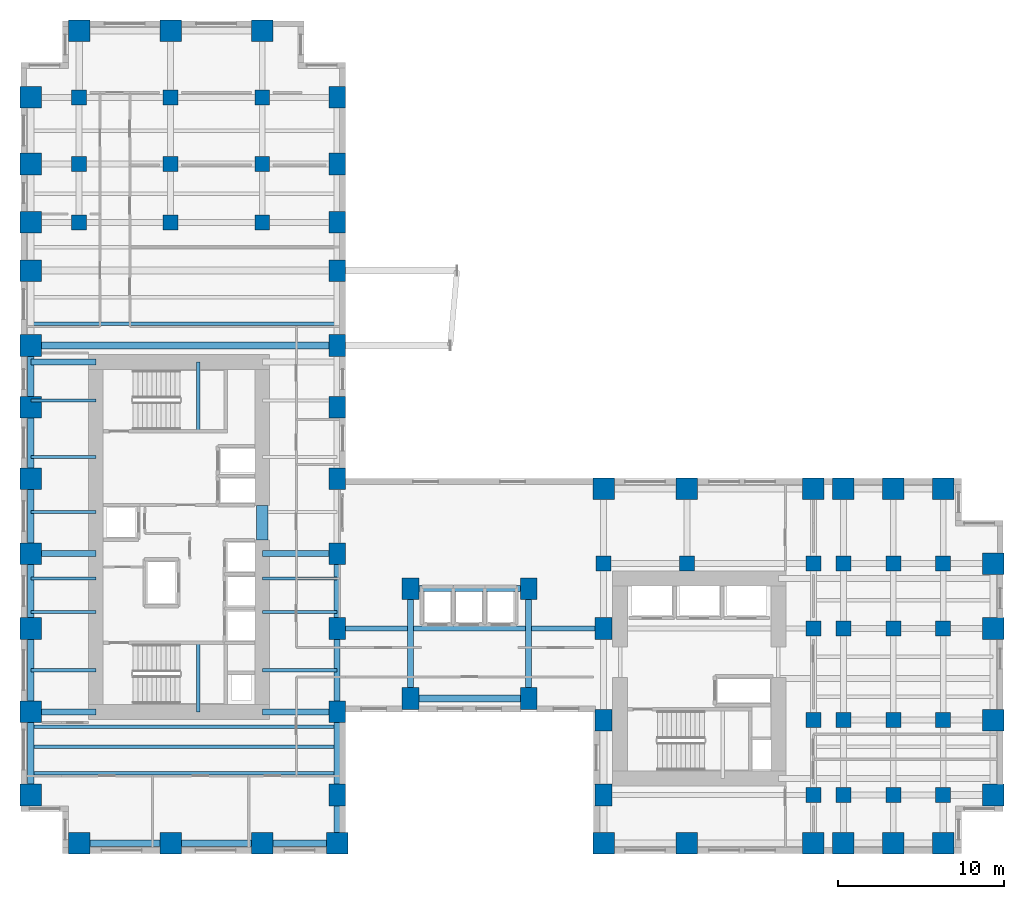
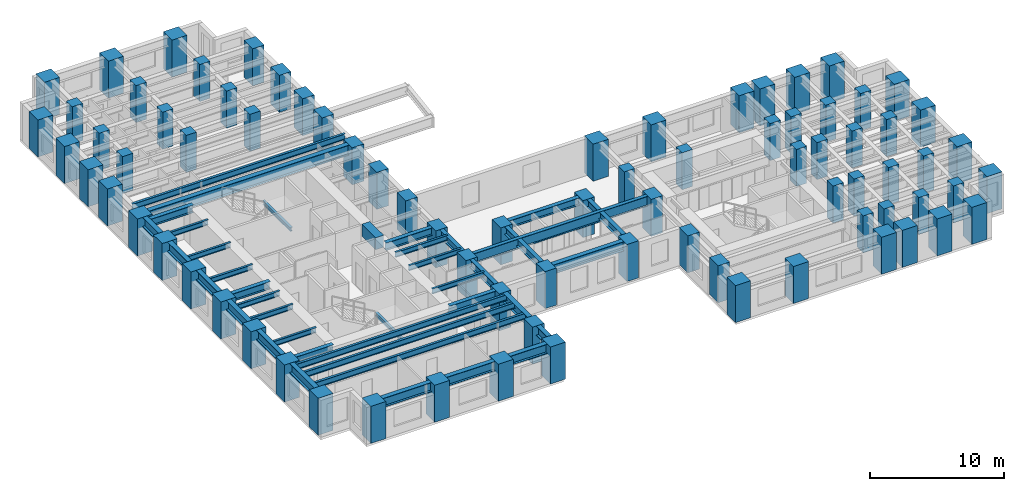
# One storey, part 1 of 13: 79 columns, 40 beams.
"""IFC4 building model written with IfcOpenShell, lengths in metres."""

from ifc_helpers import new_model, si_unit, direction, frame, origin, origin_2d, place, context, subcontext, project, spatial, rectangle, i_section, extrude, source, transform, mapped, material, material_profile, profile_set, type_object, element, save


model = new_model("IFC4")

# Units and contexts
model_context = context("Model", 3, precision=1e-05, world=origin(), true_north=direction((0.0, 1.0)))
body_context = subcontext(model_context, "Body", "Model", "MODEL_VIEW")
ifc_project = project(units=[si_unit("LENGTHUNIT", "METRE"), si_unit("AREAUNIT", "SQUARE_METRE"), si_unit("VOLUMEUNIT", "CUBIC_METRE"), si_unit("PLANEANGLEUNIT", "RADIAN"), si_unit("MASSUNIT", "GRAM", prefix="KILO")], contexts=[model_context])

# Site, building, storey
site_placement = place(None, origin())
site = spatial("IfcSite", under=ifc_project, at=site_placement, CompositionType="ELEMENT")
building_placement = place(site_placement, origin())
building = spatial("IfcBuilding", under=site, at=building_placement, Name="Kharzan Plaza Tower", CompositionType="ELEMENT")
storey_placement = place(building_placement, frame((0.0, 0.0, 65.699951171875)))
storey = spatial("IfcBuildingStorey", under=building, at=storey_placement, Name="L17", CompositionType="ELEMENT", Elevation=65.699951171875)

# Columns
ifc_material_1 = material(Name="Concrete C50/60", Category="concrete")
ifc_material_profile_1 = material_profile(ifc_material_1, rectangle(XDim=0.89990234375, YDim=0.89990234375, at=origin_2d()), Name="RC-IC900x900")
ifc_profile_set_1 = profile_set([ifc_material_profile_1], Name="Concrete C50/60")
column_type_1 = type_object("IfcColumnType", Name="COL-IC900", PredefinedType="COLUMN", material=ifc_profile_set_1)
shared_shape_1 = source(origin(), body_context, "Body", "SweptSolid", [
    extrude(rectangle(XDim=0.89990234375, YDim=0.89990234375, at=origin_2d()), origin(), (0.0, 0.0, 1.0), 3.380126953125),
])
for number, where, z_axis, x_axis, name in (
    (1, (47.60009765625, 13.5, 0.0), (0.0, 0.0, 1.0), (1.0, 0.0, 0.0), "L17 Structural Column TCBI-135"),
    (2, (47.60009765625, 3.5, 0.0), (0.0, 0.0, 1.0), (1.0, 0.0, 0.0), "L17 Structural Column TCBI-35"),
    (3, (47.60009765625, 8.0, 0.0), (0.0, 0.0, 1.0), (1.0, 0.0, 0.0), "L17 Structural Column TCBI-80"),
    (4, (35.0, 17.39990234375, 0.0), (0.0, 0.0, 1.0), (1.0, 0.0, 0.0), "L17 Structural Column TCBN-350-174"),
    (5, (40.0, 17.39990234375, 0.0), (0.0, 0.0, 1.0), (1.0, 0.0, 0.0), "L17 Structural Column TCBN-400-174"),
    (6, (47.60009765625, 17.39990234375, 0.0), (0.0, 0.0, 1.0), (1.0, 0.0, 0.0), "L17 Structural Column TCBN-476-174"),
    (7, (49.39990234375, 13.5, 0.0), (0.0, 0.0, 1.0), (1.0, 0.0, 0.0), "L17 Structural Column TCE-494-135"),
    (8, (49.39990234375, 17.39990234375, 0.0), (0.0, 0.0, 1.0), (1.0, 0.0, 0.0), "L17 Structural Column TCE-494-174"),
    (9, (49.39990234375, 3.5, 0.0), (0.0, 0.0, 1.0), (1.0, 0.0, 0.0), "L17 Structural Column TCE-494-35"),
    (10, (49.39990234375, 8.0, 0.0), (0.0, 0.0, 1.0), (1.0, 0.0, 0.0), "L17 Structural Column TCE-494-80"),
    (11, (52.39990234375, 13.5, 0.0), (0.0, 0.0, 1.0), (1.0, 0.0, 0.0), "L17 Structural Column TCE-524-135"),
    (12, (52.39990234375, 17.39990234375, 0.0), (0.0, 0.0, 1.0), (1.0, 0.0, 0.0), "L17 Structural Column TCE-524-174"),
    (13, (52.39990234375, 3.5, 0.0), (0.0, 0.0, 1.0), (1.0, 0.0, 0.0), "L17 Structural Column TCE-524-35"),
    (14, (52.39990234375, 8.0, 0.0), (0.0, 0.0, 1.0), (1.0, 0.0, 0.0), "L17 Structural Column TCE-524-80"),
    (15, (55.39990234375, 13.5, 0.0), (0.0, 0.0, 1.0), (1.0, 0.0, 0.0), "L17 Structural Column TCE-554-135"),
    (16, (55.39990234375, 17.39990234375, 0.0), (0.0, 0.0, 1.0), (1.0, 0.0, 0.0), "L17 Structural Column TCE-554-174"),
    (17, (55.39990234375, 3.5, 0.0), (0.0, 0.0, 1.0), (1.0, 0.0, 0.0), "L17 Structural Column TCE-554-35"),
    (18, (55.39990234375, 8.0, 0.0), (0.0, 0.0, 1.0), (1.0, 0.0, 0.0), "L17 Structural Column TCE-554-80"),
    (19, (14.5, 37.89990234375, 0.0), (0.0, 0.0, 1.0), (1.0, 0.0, 0.0), "L17 Structural Column TCN-145-379"),
    (20, (14.5, 41.39990234375, 0.0), (0.0, 0.0, 1.0), (1.0, 0.0, 0.0), "L17 Structural Column TCN-145-414"),
    (21, (14.5, 45.39990234375, 0.0), (0.0, 0.0, 1.0), (1.0, 0.0, 0.0), "L17 Structural Column TCN-145-454"),
    (22, (3.5, 37.89990234375, 0.0), (0.0, 0.0, 1.0), (1.0, 0.0, 0.0), "L17 Structural Column TCN-35-379"),
    (23, (3.5, 41.39990234375, 0.0), (0.0, 0.0, 1.0), (1.0, 0.0, 0.0), "L17 Structural Column TCN-35-414"),
    (24, (3.5, 45.39990234375, 0.0), (0.0, 0.0, 1.0), (1.0, 0.0, 0.0), "L17 Structural Column TCN-35-454"),
    (25, (9.0, 37.89990234375, 0.0), (0.0, 0.0, 1.0), (1.0, 0.0, 0.0), "L17 Structural Column TCN-90-379"),
    (26, (9.0, 41.39990234375, 0.0), (0.0, 0.0, 1.0), (1.0, 0.0, 0.0), "L17 Structural Column TCN-90-414"),
    (27, (9.0, 45.39990234375, 0.0), (0.0, 0.0, 1.0), (1.0, 0.0, 0.0), "L17 Structural Column TCN-90-454"),
):
    element("IfcColumn", number, at=place(storey_placement, frame(where, z_axis=z_axis, x_axis=x_axis)), inside=storey, type_object=column_type_1, Name=name, PredefinedType="COLUMN", context=body_context, shape_type="MappedRepresentation", body=[
        mapped(shared_shape_1, transform((0.0, 0.0, 0.0), x_axis=(1.0, 0.0, 0.0), y_axis=(0.0, 1.0, 0.0), z_axis=(0.0, 0.0, 1.0))),
    ])
ifc_material_2 = material(Name="Concrete C60/75", Category="concrete")
ifc_material_profile_2 = material_profile(ifc_material_2, rectangle(XDim=1.0, YDim=1.300048828125, at=origin_2d()), Name="RC-SC1300x1000")
ifc_profile_set_2 = profile_set([ifc_material_profile_2], Name="Concrete C60/75")
column_type_2 = type_object("IfcColumnType", Name="COL-SC1300", PredefinedType="COLUMN", material=ifc_profile_set_2)
shared_shape_2 = source(origin(), body_context, "Body", "SweptSolid", [
    extrude(rectangle(XDim=1.0, YDim=1.300048828125, at=origin_2d()), origin(), (0.0, 0.0, 1.0), 3.380126953125),
])
for number, where, z_axis, x_axis, name in (
    (28, (19.0, 13.5, 0.0), (0.0, 0.0, 1.0), (1.0, 0.0, 0.0), "L17 Structural Column TCA-135"),
    (29, (19.0, 18.0, 0.0), (0.0, 0.0, 1.0), (1.0, 0.0, 0.0), "L17 Structural Column TCA-180"),
    (30, (19.0, 22.5, 0.0), (0.0, 0.0, 1.0), (1.0, 0.0, 0.0), "L17 Structural Column TCA-225"),
    (31, (19.0, 26.800048828125, 0.0), (0.0, 0.0, 1.0), (1.0, 0.0, 0.0), "L17 Structural Column TCA-268"),
    (32, (19.0, 30.5, 0.0), (0.0, 0.0, 1.0), (1.0, 0.0, 0.0), "L17 Structural Column TCA-305"),
    (33, (19.0, 3.5, 0.0), (0.0, 0.0, 1.0), (1.0, 0.0, 0.0), "L17 Structural Column TCA-35"),
    (34, (19.0, 35.0, 0.0), (0.0, 0.0, 1.0), (1.0, 0.0, 0.0), "L17 Structural Column TCA-350"),
    (35, (19.0, 37.89990234375, 0.0), (0.0, 0.0, 1.0), (1.0, 0.0, 0.0), "L17 Structural Column TCA-379"),
    (36, (19.0, 41.39990234375, 0.0), (0.0, 0.0, 1.0), (1.0, 0.0, 0.0), "L17 Structural Column TCA-414"),
    (37, (19.0, 45.39990234375, 0.0), (0.0, 0.0, 1.0), (1.0, 0.0, 0.0), "L17 Structural Column TCA-454"),
    (38, (19.0, 8.5, 0.0), (0.0, 0.0, 1.0), (1.0, 0.0, 0.0), "L17 Structural Column TCA-85"),
    (39, (35.0, 13.5, 0.0), (0.0, 0.0, 1.0), (1.0, 0.0, 0.0), "L17 Structural Column TCBS-135"),
    (40, (35.0, 3.5, 0.0), (0.0, 0.0, 1.0), (1.0, 0.0, 0.0), "L17 Structural Column TCBS-35"),
    (41, (35.0, 8.0, 0.0), (0.0, 0.0, 1.0), (1.0, 0.0, 0.0), "L17 Structural Column TCBS-80"),
    (42, (23.39990234375, 15.89990234375, 0.0), (0.0, 0.0, 1.0), (1.0, 0.0, 0.0), "L17 Structural Column TCSP-234-159"),
    (43, (23.39990234375, 9.300048828125, 0.0), (0.0, 0.0, 1.0), (1.0, 0.0, 0.0), "L17 Structural Column TCSP-234-93"),
    (44, (30.5, 15.89990234375, 0.0), (0.0, 0.0, 1.0), (1.0, 0.0, 0.0), "L17 Structural Column TCSP-305-159"),
    (45, (30.5, 9.300048828125, 0.0), (0.0, 0.0, 1.0), (1.0, 0.0, 0.0), "L17 Structural Column TCSP-305-93"),
):
    element("IfcColumn", number, at=place(storey_placement, frame(where, z_axis=z_axis, x_axis=x_axis)), inside=storey, type_object=column_type_2, Name=name, PredefinedType="COLUMN", context=body_context, shape_type="MappedRepresentation", body=[
        mapped(shared_shape_2, transform((0.0, 0.0, 0.0), x_axis=(1.0, 0.0, 0.0), y_axis=(0.0, 1.0, 0.0), z_axis=(0.0, 0.0, 1.0))),
    ])
ifc_material_profile_3 = material_profile(ifc_material_2, rectangle(XDim=1.300048828125, YDim=1.300048828125, at=origin_2d()), Name="RC-TC1300x1300")
ifc_profile_set_3 = profile_set([ifc_material_profile_3], Name="Concrete C60/75")
column_type_3 = type_object("IfcColumnType", Name="COL-TC1300", PredefinedType="COLUMN", material=ifc_profile_set_3)
shared_shape_3 = source(origin(), body_context, "Body", "SweptSolid", [
    extrude(rectangle(XDim=1.300048828125, YDim=1.300048828125, at=origin_2d()), origin(), (0.0, 0.0, 1.0), 3.380126953125),
])
for number, where, z_axis, x_axis, name in (
    (46, (35.0, 21.89990234375, 0.0), (0.0, 0.0, 1.0), (1.0, 0.0, 0.0), "L17 Structural Column TCBN-350-219"),
    (47, (40.0, 21.89990234375, 0.0), (0.0, 0.0, 1.0), (1.0, 0.0, 0.0), "L17 Structural Column TCBN-400-219"),
    (48, (47.60009765625, 21.89990234375, 0.0), (0.0, 0.0, 1.0), (1.0, 0.0, 0.0), "L17 Structural Column TCBN-476-219"),
    (49, (49.39990234375, 21.89990234375, 0.0), (0.0, 0.0, 1.0), (1.0, 0.0, 0.0), "L17 Structural Column TCBN-494-219"),
    (50, (52.39990234375, 21.89990234375, 0.0), (0.0, 0.0, 1.0), (1.0, 0.0, 0.0), "L17 Structural Column TCBN-524-219"),
    (51, (55.39990234375, 21.89990234375, 0.0), (0.0, 0.0, 1.0), (1.0, 0.0, 0.0), "L17 Structural Column TCBN-554-219"),
    (52, (58.39990234375, 13.5, 0.0), (0.0, 0.0, 1.0), (1.0, 0.0, 0.0), "L17 Structural Column TCE-584-135"),
    (53, (58.39990234375, 17.39990234375, 0.0), (0.0, 0.0, 1.0), (1.0, 0.0, 0.0), "L17 Structural Column TCE-584-174"),
    (54, (58.39990234375, 3.5, 0.0), (0.0, 0.0, 1.0), (1.0, 0.0, 0.0), "L17 Structural Column TCE-584-35"),
    (55, (58.39990234375, 8.0, 0.0), (0.0, 0.0, 1.0), (1.0, 0.0, 0.0), "L17 Structural Column TCE-584-80"),
    (56, (14.5, 49.39990234375, 0.0), (0.0, 0.0, 1.0), (1.0, 0.0, 0.0), "L17 Structural Column TCN-145-494"),
    (57, (3.5, 49.39990234375, 0.0), (0.0, 0.0, 1.0), (1.0, 0.0, 0.0), "L17 Structural Column TCN-35-494"),
    (58, (9.0, 49.39990234375, 0.0), (0.0, 0.0, 1.0), (1.0, 0.0, 0.0), "L17 Structural Column TCN-90-494"),
    (59, (14.5, 0.60009765625, 0.0), (0.0, 0.0, 1.0), (1.0, 0.0, 0.0), "L17 Structural Column TCS-145"),
    (60, (19.0, 0.60009765625, 0.0), (0.0, 0.0, 1.0), (1.0, 0.0, 0.0), "L17 Structural Column TCS-190"),
    (61, (3.5, 0.60009765625, 0.0), (0.0, 0.0, 1.0), (1.0, 0.0, 0.0), "L17 Structural Column TCS-35"),
    (62, (35.0, 0.60009765625, 0.0), (0.0, 0.0, 1.0), (1.0, 0.0, 0.0), "L17 Structural Column TCS-350"),
    (63, (40.0, 0.60009765625, 0.0), (0.0, 0.0, 1.0), (1.0, 0.0, 0.0), "L17 Structural Column TCS-400"),
    (64, (47.60009765625, 0.60009765625, 0.0), (0.0, 0.0, 1.0), (1.0, 0.0, 0.0), "L17 Structural Column TCS-476"),
    (65, (49.39990234375, 0.60009765625, 0.0), (0.0, 0.0, 1.0), (1.0, 0.0, 0.0), "L17 Structural Column TCS-494"),
    (66, (52.39990234375, 0.60009765625, 0.0), (0.0, 0.0, 1.0), (1.0, 0.0, 0.0), "L17 Structural Column TCS-524"),
    (67, (55.39990234375, 0.60009765625, 0.0), (0.0, 0.0, 1.0), (1.0, 0.0, 0.0), "L17 Structural Column TCS-554"),
    (68, (9.0, 0.60009765625, 0.0), (0.0, 0.0, 1.0), (1.0, 0.0, 0.0), "L17 Structural Column TCS-90"),
    (69, (0.60009765625, 13.5, 0.0), (0.0, 0.0, 1.0), (1.0, 0.0, 0.0), "L17 Structural Column TCW-135"),
    (70, (0.60009765625, 18.0, 0.0), (0.0, 0.0, 1.0), (1.0, 0.0, 0.0), "L17 Structural Column TCW-180"),
    (71, (0.60009765625, 22.5, 0.0), (0.0, 0.0, 1.0), (1.0, 0.0, 0.0), "L17 Structural Column TCW-225"),
    (72, (0.60009765625, 26.800048828125, 0.0), (0.0, 0.0, 1.0), (1.0, 0.0, 0.0), "L17 Structural Column TCW-268"),
    (73, (0.60009765625, 30.5, 0.0), (0.0, 0.0, 1.0), (1.0, 0.0, 0.0), "L17 Structural Column TCW-305"),
    (74, (0.60009765625, 3.5, 0.0), (0.0, 0.0, 1.0), (1.0, 0.0, 0.0), "L17 Structural Column TCW-35"),
    (75, (0.60009765625, 35.0, 0.0), (0.0, 0.0, 1.0), (1.0, 0.0, 0.0), "L17 Structural Column TCW-350"),
    (76, (0.60009765625, 37.89990234375, 0.0), (0.0, 0.0, 1.0), (1.0, 0.0, 0.0), "L17 Structural Column TCW-379"),
    (77, (0.60009765625, 41.39990234375, 0.0), (0.0, 0.0, 1.0), (1.0, 0.0, 0.0), "L17 Structural Column TCW-414"),
    (78, (0.60009765625, 45.39990234375, 0.0), (0.0, 0.0, 1.0), (1.0, 0.0, 0.0), "L17 Structural Column TCW-454"),
    (79, (0.60009765625, 8.5, 0.0), (0.0, 0.0, 1.0), (1.0, 0.0, 0.0), "L17 Structural Column TCW-85"),
):
    element("IfcColumn", number, at=place(storey_placement, frame(where, z_axis=z_axis, x_axis=x_axis)), inside=storey, type_object=column_type_3, Name=name, PredefinedType="COLUMN", context=body_context, shape_type="MappedRepresentation", body=[
        mapped(shared_shape_3, transform((0.0, 0.0, 0.0), x_axis=(1.0, 0.0, 0.0), y_axis=(0.0, 1.0, 0.0), z_axis=(0.0, 0.0, 1.0))),
    ])

# Beams
ifc_material_profile_4 = material_profile(ifc_material_2, rectangle(XDim=0.699951171875, YDim=1.10009765625, at=origin_2d()), Name="RC-CB1100x700")
ifc_profile_set_4 = profile_set([ifc_material_profile_4], Name="Concrete C60/75")
beam_type_1 = type_object("IfcBeamType", Name="BM-RCCB1100", PredefinedType="LINTEL", material=ifc_profile_set_4)
shared_shape_4 = source(origin(), body_context, "Body", "SweptSolid", [
    extrude(rectangle(XDim=0.699951171875, YDim=1.10009765625, at=origin_2d()), origin(), (0.0, 0.0, 1.0), 2.059814453125),
])
beam_1_placement = place(storey_placement, frame((14.5, 18.820068359375, 2.830078125), z_axis=(0.0, 1.0, 0.0), x_axis=(-1.0, 0.0, 0.0)))
element("IfcBeam", 80, at=beam_1_placement, inside=storey, type_object=beam_type_1, Name="L17 CORE-A RC coupling beam CB1", PredefinedType="LINTEL", context=body_context, shape_type="MappedRepresentation", body=[
    mapped(shared_shape_4, transform((0.0, 0.0, 0.0), x_axis=(1.0, 0.0, 0.0), y_axis=(0.0, 1.0, 0.0), z_axis=(0.0, 0.0, 1.0))),
])
ifc_material_3 = material(Name="Steel S355", Category="steel")
ifc_material_profile_5 = material_profile(ifc_material_3, i_section(OverallWidth=0.205078125, OverallDepth=0.35400390625, WebThickness=0.009521484375, FlangeThickness=0.016845703125, at=origin_2d()), Name="W360x79")
ifc_profile_set_5 = profile_set([ifc_material_profile_5], Name="Steel S355")
beam_type_2 = type_object("IfcBeamType", Name="BM-LNT360", PredefinedType="LINTEL", material=ifc_profile_set_5)
shared_shape_5 = source(origin(), body_context, "Body", "SweptSolid", [
    extrude(i_section(OverallWidth=0.205078125, OverallDepth=0.35400390625, WebThickness=0.009521484375, FlangeThickness=0.016845703125, at=origin_2d()), origin(), (0.0, 0.0, 1.0), 4.155029296875),
])
for number, where, z_axis, x_axis, name in (
    (81, (10.64990234375, 8.5, 1.423095703125), (0.0, 1.0, 0.0), (-1.0, 0.0, 0.0), "L17 Stair ST-1 Half-Landing Beam"),
    (82, (10.64990234375, 25.344970703125, 1.423095703125), (0.0, 1.0, 0.0), (-1.0, 0.0, 0.0), "L17 Stair ST-2 Half-Landing Beam"),
):
    element("IfcBeam", number, at=place(storey_placement, frame(where, z_axis=z_axis, x_axis=x_axis)), inside=storey, type_object=beam_type_2, Name=name, PredefinedType="LINTEL", context=body_context, shape_type="MappedRepresentation", body=[
        mapped(shared_shape_5, transform((0.0, 0.0, 0.0), x_axis=(1.0, 0.0, 0.0), y_axis=(0.0, 1.0, 0.0), z_axis=(0.0, 0.0, 1.0))),
    ])
ifc_material_profile_6 = material_profile(ifc_material_3, i_section(OverallWidth=0.304931640625, OverallDepth=0.9189453125, WebThickness=0.017333984375, FlangeThickness=0.02783203125, at=origin_2d()), Name="W920x253")
ifc_profile_set_6 = profile_set([ifc_material_profile_6], Name="Steel S355")
beam_type_3 = type_object("IfcBeamType", Name="BM-FG920B", PredefinedType="BEAM", material=ifc_profile_set_6)
shared_shape_6 = source(origin(), body_context, "Body", "SweptSolid", [
    extrude(i_section(OverallWidth=0.304931640625, OverallDepth=0.9189453125, WebThickness=0.017333984375, FlangeThickness=0.02783203125, at=origin_2d()), origin(), (0.0, 0.0, 1.0), 16.0),
])
beam_2_placement = place(storey_placement, frame((19.0, 13.5, 2.920654296875), z_axis=(1.0, 0.0, 0.0), x_axis=(0.0, 1.0, 0.0)))
element("IfcBeam", 83, at=beam_2_placement, inside=storey, type_object=beam_type_3, Name="L17 Primary Floor Girder", PredefinedType="BEAM", context=body_context, shape_type="MappedRepresentation", body=[
    mapped(shared_shape_6, transform((0.0, 0.0, 0.0), x_axis=(1.0, 0.0, 0.0), y_axis=(0.0, 1.0, 0.0), z_axis=(0.0, 0.0, 1.0))),
])
ifc_material_profile_7 = material_profile(ifc_material_3, i_section(OverallWidth=0.35498046875, OverallDepth=0.695068359375, WebThickness=0.015380859375, FlangeThickness=0.02490234375, at=origin_2d()), Name="W690x217")
ifc_profile_set_7 = profile_set([ifc_material_profile_7], Name="Steel S355")
beam_type_4 = type_object("IfcBeamType", Name="BM-FG690A", PredefinedType="BEAM", material=ifc_profile_set_7)
shared_shape_7 = source(origin(), body_context, "Body", "SweptSolid", [
    extrude(i_section(OverallWidth=0.35498046875, OverallDepth=0.695068359375, WebThickness=0.015380859375, FlangeThickness=0.02490234375, at=origin_2d()), origin(), (0.0, 0.0, 1.0), 4.5),
])
for number, where, z_axis, x_axis, name in (
    (84, (14.5, 8.5, 3.032470703125), (1.0, 0.0, 0.0), (0.0, 1.0, 0.0), "L17 Core-A East Floor Girder 1"),
    (85, (14.5, 18.0, 3.032470703125), (1.0, 0.0, 0.0), (0.0, 1.0, 0.0), "L17 Core-A East Floor Girder 2"),
    (86, (19.0, 13.5, 3.032470703125), (0.0, 1.0, 0.0), (-1.0, 0.0, 0.0), "L17 Interior Frame Girder"),
):
    element("IfcBeam", number, at=place(storey_placement, frame(where, z_axis=z_axis, x_axis=x_axis)), inside=storey, type_object=beam_type_4, Name=name, PredefinedType="BEAM", context=body_context, shape_type="MappedRepresentation", body=[
        mapped(shared_shape_7, transform((0.0, 0.0, 0.0), x_axis=(1.0, 0.0, 0.0), y_axis=(0.0, 1.0, 0.0), z_axis=(0.0, 0.0, 1.0))),
    ])
shared_shape_8 = source(origin(), body_context, "Body", "SweptSolid", [
    extrude(i_section(OverallWidth=0.35498046875, OverallDepth=0.695068359375, WebThickness=0.015380859375, FlangeThickness=0.02490234375, at=origin_2d()), origin(), (0.0, 0.0, 1.0), 3.89990234375),
])
for number, where, z_axis, x_axis, name in (
    (87, (0.60009765625, 8.5, 3.032470703125), (1.0, 0.0, 0.0), (0.0, 1.0, 0.0), "L17 Core-A West Floor Girder 1"),
    (88, (0.60009765625, 18.0, 3.032470703125), (1.0, 0.0, 0.0), (0.0, 1.0, 0.0), "L17 Core-A West Floor Girder 2"),
    (89, (0.60009765625, 29.5, 3.032470703125), (1.0, 0.0, 0.0), (0.0, 1.0, 0.0), "L17 Core-A West Floor Girder 3"),
):
    element("IfcBeam", number, at=place(storey_placement, frame(where, z_axis=z_axis, x_axis=x_axis)), inside=storey, type_object=beam_type_4, Name=name, PredefinedType="BEAM", context=body_context, shape_type="MappedRepresentation", body=[
        mapped(shared_shape_8, transform((0.0, 0.0, 0.0), x_axis=(1.0, 0.0, 0.0), y_axis=(0.0, 1.0, 0.0), z_axis=(0.0, 0.0, 1.0))),
    ])
shared_shape_9 = source(origin(), body_context, "Body", "SweptSolid", [
    extrude(i_section(OverallWidth=0.35498046875, OverallDepth=0.695068359375, WebThickness=0.015380859375, FlangeThickness=0.02490234375, at=origin_2d()), origin(), (0.0, 0.0, 1.0), 5.0),
])
beam_3_placement = place(storey_placement, frame((19.0, 8.5, 3.032470703125), z_axis=(0.0, 1.0, 0.0), x_axis=(-1.0, 0.0, 0.0)))
element("IfcBeam", 90, at=beam_3_placement, inside=storey, type_object=beam_type_4, Name="L17 Interior Frame Girder", PredefinedType="BEAM", context=body_context, shape_type="MappedRepresentation", body=[
    mapped(shared_shape_9, transform((0.0, 0.0, 0.0), x_axis=(1.0, 0.0, 0.0), y_axis=(0.0, 1.0, 0.0), z_axis=(0.0, 0.0, 1.0))),
])
shared_shape_10 = source(origin(), body_context, "Body", "SweptSolid", [
    extrude(i_section(OverallWidth=0.35498046875, OverallDepth=0.695068359375, WebThickness=0.015380859375, FlangeThickness=0.02490234375, at=origin_2d()), origin(), (0.0, 0.0, 1.0), 6.599853515625),
])
for number, where, z_axis, x_axis, name in (
    (91, (23.39990234375, 9.300048828125, 3.032470703125), (0.0, 1.0, 0.0), (-1.0, 0.0, 0.0), "L17 Interior Frame Girder"),
    (92, (30.5, 9.300048828125, 3.032470703125), (0.0, 1.0, 0.0), (-1.0, 0.0, 0.0), "L17 Interior Frame Girder"),
):
    element("IfcBeam", number, at=place(storey_placement, frame(where, z_axis=z_axis, x_axis=x_axis)), inside=storey, type_object=beam_type_4, Name=name, PredefinedType="BEAM", context=body_context, shape_type="MappedRepresentation", body=[
        mapped(shared_shape_10, transform((0.0, 0.0, 0.0), x_axis=(1.0, 0.0, 0.0), y_axis=(0.0, 1.0, 0.0), z_axis=(0.0, 0.0, 1.0))),
    ])
shared_shape_11 = source(origin(), body_context, "Body", "SweptSolid", [
    extrude(i_section(OverallWidth=0.35498046875, OverallDepth=0.695068359375, WebThickness=0.015380859375, FlangeThickness=0.02490234375, at=origin_2d()), origin(), (0.0, 0.0, 1.0), 7.10009765625),
])
beam_4_placement = place(storey_placement, frame((23.39990234375, 15.89990234375, 3.032470703125), z_axis=(1.0, 0.0, 0.0), x_axis=(0.0, 1.0, 0.0)))
element("IfcBeam", 93, at=beam_4_placement, inside=storey, type_object=beam_type_4, Name="L17 Primary Floor Girder", PredefinedType="BEAM", context=body_context, shape_type="MappedRepresentation", body=[
    mapped(shared_shape_11, transform((0.0, 0.0, 0.0), x_axis=(1.0, 0.0, 0.0), y_axis=(0.0, 1.0, 0.0), z_axis=(0.0, 0.0, 1.0))),
])
ifc_material_profile_8 = material_profile(ifc_material_3, i_section(OverallWidth=0.2099609375, OverallDepth=0.537109375, WebThickness=0.010986328125, FlangeThickness=0.017333984375, at=origin_2d()), Name="W530x101")
ifc_profile_set_8 = profile_set([ifc_material_profile_8], Name="Steel S355")
beam_type_5 = type_object("IfcBeamType", Name="BM-JST530B", PredefinedType="JOIST", material=ifc_profile_set_8)
shared_shape_12 = source(origin(), body_context, "Body", "SweptSolid", [
    extrude(i_section(OverallWidth=0.2099609375, OverallDepth=0.537109375, WebThickness=0.010986328125, FlangeThickness=0.017333984375, at=origin_2d()), origin(), (0.0, 0.0, 1.0), 18.39990234375),
])
for number, where, z_axis, x_axis, name in (
    (94, (0.60009765625, 4.800048828125, 3.111572265625), (1.0, 0.0, 0.0), (0.0, 1.0, 0.0), "L17 Wing A Composite Joist 01"),
    (95, (0.60009765625, 6.39990234375, 3.111572265625), (1.0, 0.0, 0.0), (0.0, 1.0, 0.0), "L17 Wing A Composite Joist 02"),
    (96, (0.60009765625, 7.60009765625, 3.111572265625), (1.0, 0.0, 0.0), (0.0, 1.0, 0.0), "L17 Wing A Composite Joist 03"),
    (97, (0.60009765625, 31.800048828125, 3.111572265625), (1.0, 0.0, 0.0), (0.0, 1.0, 0.0), "L17 Wing A Composite Joist 04"),
):
    element("IfcBeam", number, at=place(storey_placement, frame(where, z_axis=z_axis, x_axis=x_axis)), inside=storey, type_object=beam_type_5, Name=name, PredefinedType="JOIST", context=body_context, shape_type="MappedRepresentation", body=[
        mapped(shared_shape_12, transform((0.0, 0.0, 0.0), x_axis=(1.0, 0.0, 0.0), y_axis=(0.0, 1.0, 0.0), z_axis=(0.0, 0.0, 1.0))),
    ])
ifc_material_profile_9 = material_profile(ifc_material_3, i_section(OverallWidth=0.194091796875, OverallDepth=0.468994140625, WebThickness=0.011474609375, FlangeThickness=0.0205078125, at=origin_2d()), Name="W460x106")
ifc_profile_set_9 = profile_set([ifc_material_profile_9], Name="Steel S355")
beam_type_6 = type_object("IfcBeamType", Name="BM-JST460", PredefinedType="JOIST", material=ifc_profile_set_9)
shared_shape_13 = source(origin(), body_context, "Body", "SweptSolid", [
    extrude(i_section(OverallWidth=0.194091796875, OverallDepth=0.468994140625, WebThickness=0.011474609375, FlangeThickness=0.0205078125, at=origin_2d()), origin(), (0.0, 0.0, 1.0), 4.5),
])
for number, where, z_axis, x_axis, name in (
    (98, (14.5, 11.0, 3.1455078125), (1.0, 0.0, 0.0), (0.0, 1.0, 0.0), "L17 Wing A East Infill Joist 1"),
    (99, (14.5, 14.5, 3.1455078125), (1.0, 0.0, 0.0), (0.0, 1.0, 0.0), "L17 Wing A East Infill Joist 2"),
    (100, (14.5, 16.5, 3.1455078125), (1.0, 0.0, 0.0), (0.0, 1.0, 0.0), "L17 Wing A East Infill Joist 3"),
):
    element("IfcBeam", number, at=place(storey_placement, frame(where, z_axis=z_axis, x_axis=x_axis)), inside=storey, type_object=beam_type_6, Name=name, PredefinedType="JOIST", context=body_context, shape_type="MappedRepresentation", body=[
        mapped(shared_shape_13, transform((0.0, 0.0, 0.0), x_axis=(1.0, 0.0, 0.0), y_axis=(0.0, 1.0, 0.0), z_axis=(0.0, 0.0, 1.0))),
    ])
shared_shape_14 = source(origin(), body_context, "Body", "SweptSolid", [
    extrude(i_section(OverallWidth=0.194091796875, OverallDepth=0.468994140625, WebThickness=0.011474609375, FlangeThickness=0.0205078125, at=origin_2d()), origin(), (0.0, 0.0, 1.0), 3.89990234375),
])
for number, where, z_axis, x_axis, name in (
    (101, (0.60009765625, 11.0, 3.1455078125), (1.0, 0.0, 0.0), (0.0, 1.0, 0.0), "L17 Wing A West Infill Joist 1"),
    (102, (0.60009765625, 14.5, 3.1455078125), (1.0, 0.0, 0.0), (0.0, 1.0, 0.0), "L17 Wing A West Infill Joist 2"),
    (103, (0.60009765625, 16.5, 3.1455078125), (1.0, 0.0, 0.0), (0.0, 1.0, 0.0), "L17 Wing A West Infill Joist 3"),
    (104, (0.60009765625, 20.5, 3.1455078125), (1.0, 0.0, 0.0), (0.0, 1.0, 0.0), "L17 Wing A West Infill Joist 4"),
    (105, (0.60009765625, 23.800048828125, 3.1455078125), (1.0, 0.0, 0.0), (0.0, 1.0, 0.0), "L17 Wing A West Infill Joist 5"),
    (106, (0.60009765625, 27.199951171875, 3.1455078125), (1.0, 0.0, 0.0), (0.0, 1.0, 0.0), "L17 Wing A West Infill Joist 6"),
):
    element("IfcBeam", number, at=place(storey_placement, frame(where, z_axis=z_axis, x_axis=x_axis)), inside=storey, type_object=beam_type_6, Name=name, PredefinedType="JOIST", context=body_context, shape_type="MappedRepresentation", body=[
        mapped(shared_shape_14, transform((0.0, 0.0, 0.0), x_axis=(1.0, 0.0, 0.0), y_axis=(0.0, 1.0, 0.0), z_axis=(0.0, 0.0, 1.0))),
    ])
ifc_material_profile_10 = material_profile(ifc_material_3, i_section(OverallWidth=0.40087890625, OverallDepth=0.85498046875, WebThickness=0.018310546875, FlangeThickness=0.029296875, at=origin_2d()), Name="W840x299")
ifc_profile_set_10 = profile_set([ifc_material_profile_10], Name="Steel S355")
beam_type_7 = type_object("IfcBeamType", Name="BM-SP840A", PredefinedType="SPANDREL", material=ifc_profile_set_10)
shared_shape_15 = source(origin(), body_context, "Body", "SweptSolid", [
    extrude(i_section(OverallWidth=0.40087890625, OverallDepth=0.85498046875, WebThickness=0.018310546875, FlangeThickness=0.029296875, at=origin_2d()), origin(), (0.0, 0.0, 1.0), 5.0),
])
for number, where, z_axis, x_axis, name in (
    (107, (0.60009765625, 3.5, 2.95263671875), (0.0, 1.0, 0.0), (-1.0, 0.0, 0.0), "L17 Perimeter Tube Spandrel"),
    (108, (0.60009765625, 8.5, 2.95263671875), (0.0, 1.0, 0.0), (-1.0, 0.0, 0.0), "L17 Perimeter Tube Spandrel"),
    (109, (19.0, 3.5, 2.95263671875), (0.0, 1.0, 0.0), (-1.0, 0.0, 0.0), "L17 Perimeter Tube Spandrel"),
):
    element("IfcBeam", number, at=place(storey_placement, frame(where, z_axis=z_axis, x_axis=x_axis)), inside=storey, type_object=beam_type_7, Name=name, PredefinedType="SPANDREL", context=body_context, shape_type="MappedRepresentation", body=[
        mapped(shared_shape_15, transform((0.0, 0.0, 0.0), x_axis=(1.0, 0.0, 0.0), y_axis=(0.0, 1.0, 0.0), z_axis=(0.0, 0.0, 1.0))),
    ])
shared_shape_16 = source(origin(), body_context, "Body", "SweptSolid", [
    extrude(i_section(OverallWidth=0.40087890625, OverallDepth=0.85498046875, WebThickness=0.018310546875, FlangeThickness=0.029296875, at=origin_2d()), origin(), (0.0, 0.0, 1.0), 4.5),
])
for number, where, z_axis, x_axis, name in (
    (110, (0.60009765625, 13.5, 2.95263671875), (0.0, 1.0, 0.0), (-1.0, 0.0, 0.0), "L17 Perimeter Tube Spandrel"),
    (111, (0.60009765625, 18.0, 2.95263671875), (0.0, 1.0, 0.0), (-1.0, 0.0, 0.0), "L17 Perimeter Tube Spandrel"),
    (112, (14.5, 0.60009765625, 2.95263671875), (1.0, 0.0, 0.0), (0.0, 1.0, 0.0), "L17 Perimeter Tube Spandrel"),
):
    element("IfcBeam", number, at=place(storey_placement, frame(where, z_axis=z_axis, x_axis=x_axis)), inside=storey, type_object=beam_type_7, Name=name, PredefinedType="SPANDREL", context=body_context, shape_type="MappedRepresentation", body=[
        mapped(shared_shape_16, transform((0.0, 0.0, 0.0), x_axis=(1.0, 0.0, 0.0), y_axis=(0.0, 1.0, 0.0), z_axis=(0.0, 0.0, 1.0))),
    ])
shared_shape_17 = source(origin(), body_context, "Body", "SweptSolid", [
    extrude(i_section(OverallWidth=0.40087890625, OverallDepth=0.85498046875, WebThickness=0.018310546875, FlangeThickness=0.029296875, at=origin_2d()), origin(), (0.0, 0.0, 1.0), 4.300048828125),
])
beam_5_placement = place(storey_placement, frame((0.60009765625, 22.5, 2.95263671875), z_axis=(0.0, 1.0, 0.0), x_axis=(-1.0, 0.0, 0.0)))
element("IfcBeam", 113, at=beam_5_placement, inside=storey, type_object=beam_type_7, Name="L17 Perimeter Tube Spandrel", PredefinedType="SPANDREL", context=body_context, shape_type="MappedRepresentation", body=[
    mapped(shared_shape_17, transform((0.0, 0.0, 0.0), x_axis=(1.0, 0.0, 0.0), y_axis=(0.0, 1.0, 0.0), z_axis=(0.0, 0.0, 1.0))),
])
shared_shape_18 = source(origin(), body_context, "Body", "SweptSolid", [
    extrude(i_section(OverallWidth=0.40087890625, OverallDepth=0.85498046875, WebThickness=0.018310546875, FlangeThickness=0.029296875, at=origin_2d()), origin(), (0.0, 0.0, 1.0), 3.699951171875),
])
beam_6_placement = place(storey_placement, frame((0.60009765625, 26.800048828125, 2.95263671875), z_axis=(0.0, 1.0, 0.0), x_axis=(-1.0, 0.0, 0.0)))
element("IfcBeam", 114, at=beam_6_placement, inside=storey, type_object=beam_type_7, Name="L17 Perimeter Tube Spandrel", PredefinedType="SPANDREL", context=body_context, shape_type="MappedRepresentation", body=[
    mapped(shared_shape_18, transform((0.0, 0.0, 0.0), x_axis=(1.0, 0.0, 0.0), y_axis=(0.0, 1.0, 0.0), z_axis=(0.0, 0.0, 1.0))),
])
shared_shape_19 = source(origin(), body_context, "Body", "SweptSolid", [
    extrude(i_section(OverallWidth=0.40087890625, OverallDepth=0.85498046875, WebThickness=0.018310546875, FlangeThickness=0.029296875, at=origin_2d()), origin(), (0.0, 0.0, 1.0), 2.89990234375),
])
beam_7_placement = place(storey_placement, frame((19.0, 0.60009765625, 2.95263671875), z_axis=(0.0, 1.0, 0.0), x_axis=(-1.0, 0.0, 0.0)))
element("IfcBeam", 115, at=beam_7_placement, inside=storey, type_object=beam_type_7, Name="L17 Perimeter Tube Spandrel", PredefinedType="SPANDREL", context=body_context, shape_type="MappedRepresentation", body=[
    mapped(shared_shape_19, transform((0.0, 0.0, 0.0), x_axis=(1.0, 0.0, 0.0), y_axis=(0.0, 1.0, 0.0), z_axis=(0.0, 0.0, 1.0))),
])
shared_shape_20 = source(origin(), body_context, "Body", "SweptSolid", [
    extrude(i_section(OverallWidth=0.40087890625, OverallDepth=0.85498046875, WebThickness=0.018310546875, FlangeThickness=0.029296875, at=origin_2d()), origin(), (0.0, 0.0, 1.0), 5.5),
])
for number, where, z_axis, x_axis, name in (
    (116, (3.5, 0.60009765625, 2.95263671875), (1.0, 0.0, 0.0), (0.0, 1.0, 0.0), "L17 Perimeter Tube Spandrel"),
    (117, (9.0, 0.60009765625, 2.95263671875), (1.0, 0.0, 0.0), (0.0, 1.0, 0.0), "L17 Perimeter Tube Spandrel"),
):
    element("IfcBeam", number, at=place(storey_placement, frame(where, z_axis=z_axis, x_axis=x_axis)), inside=storey, type_object=beam_type_7, Name=name, PredefinedType="SPANDREL", context=body_context, shape_type="MappedRepresentation", body=[
        mapped(shared_shape_20, transform((0.0, 0.0, 0.0), x_axis=(1.0, 0.0, 0.0), y_axis=(0.0, 1.0, 0.0), z_axis=(0.0, 0.0, 1.0))),
    ])
shared_shape_21 = source(origin(), body_context, "Body", "SweptSolid", [
    extrude(i_section(OverallWidth=0.40087890625, OverallDepth=0.85498046875, WebThickness=0.018310546875, FlangeThickness=0.029296875, at=origin_2d()), origin(), (0.0, 0.0, 1.0), 7.10009765625),
])
beam_8_placement = place(storey_placement, frame((23.39990234375, 9.300048828125, 2.95263671875), z_axis=(1.0, 0.0, 0.0), x_axis=(0.0, 1.0, 0.0)))
element("IfcBeam", 118, at=beam_8_placement, inside=storey, type_object=beam_type_7, Name="L17 Perimeter Tube Spandrel", PredefinedType="SPANDREL", context=body_context, shape_type="MappedRepresentation", body=[
    mapped(shared_shape_21, transform((0.0, 0.0, 0.0), x_axis=(1.0, 0.0, 0.0), y_axis=(0.0, 1.0, 0.0), z_axis=(0.0, 0.0, 1.0))),
])
ifc_material_profile_11 = material_profile(ifc_material_3, i_section(OverallWidth=0.41796875, OverallDepth=0.93701171875, WebThickness=0.019287109375, FlangeThickness=0.031982421875, at=origin_2d()), Name="W920x342")
ifc_profile_set_11 = profile_set([ifc_material_profile_11], Name="Steel S355")
beam_type_8 = type_object("IfcBeamType", Name="BM-ZTB920", PredefinedType="BEAM", material=ifc_profile_set_11)
shared_shape_22 = source(origin(), body_context, "Body", "SweptSolid", [
    extrude(i_section(OverallWidth=0.41796875, OverallDepth=0.93701171875, WebThickness=0.019287109375, FlangeThickness=0.031982421875, at=origin_2d()), origin(), (0.0, 0.0, 1.0), 18.39990234375),
])
beam_9_placement = place(storey_placement, frame((0.60009765625, 30.5, 2.91162109375), z_axis=(1.0, 0.0, 0.0), x_axis=(0.0, 1.0, 0.0)))
element("IfcBeam", 119, at=beam_9_placement, inside=storey, type_object=beam_type_8, Name="L17 Sky-Terrace Back-Span Girder ZTB1 (L18 G1)", PredefinedType="BEAM", context=body_context, shape_type="MappedRepresentation", body=[
    mapped(shared_shape_22, transform((0.0, 0.0, 0.0), x_axis=(1.0, 0.0, 0.0), y_axis=(0.0, 1.0, 0.0), z_axis=(0.0, 0.0, 1.0))),
])

save(model, "model.ifc")
